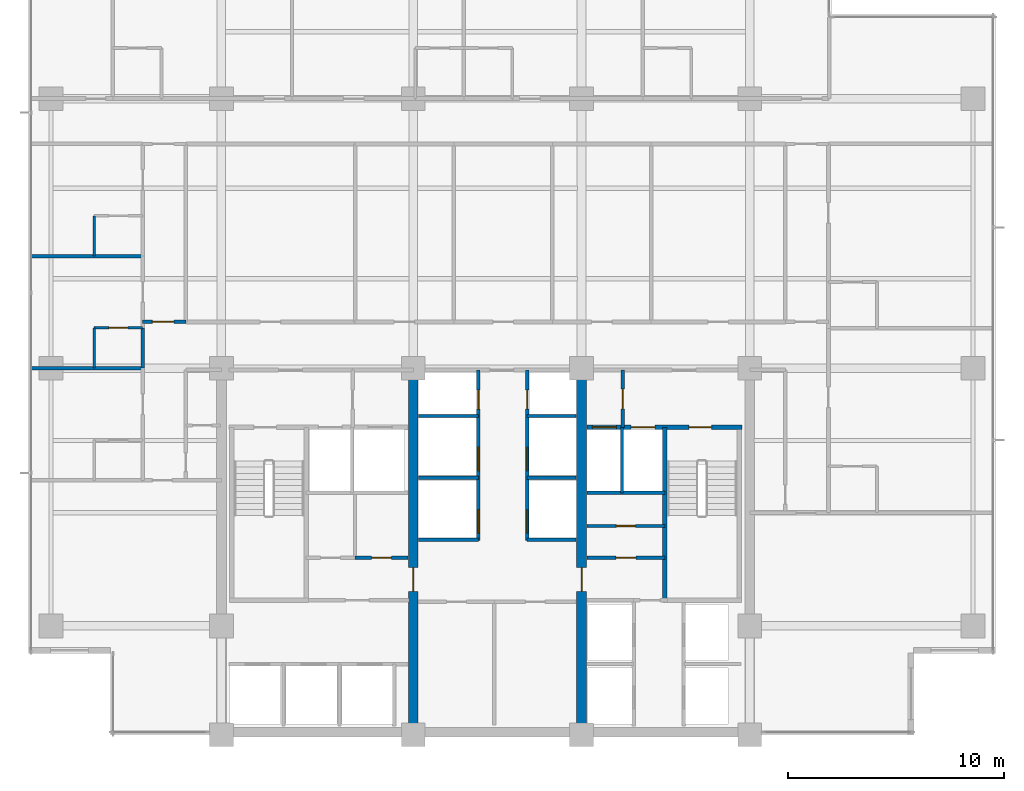
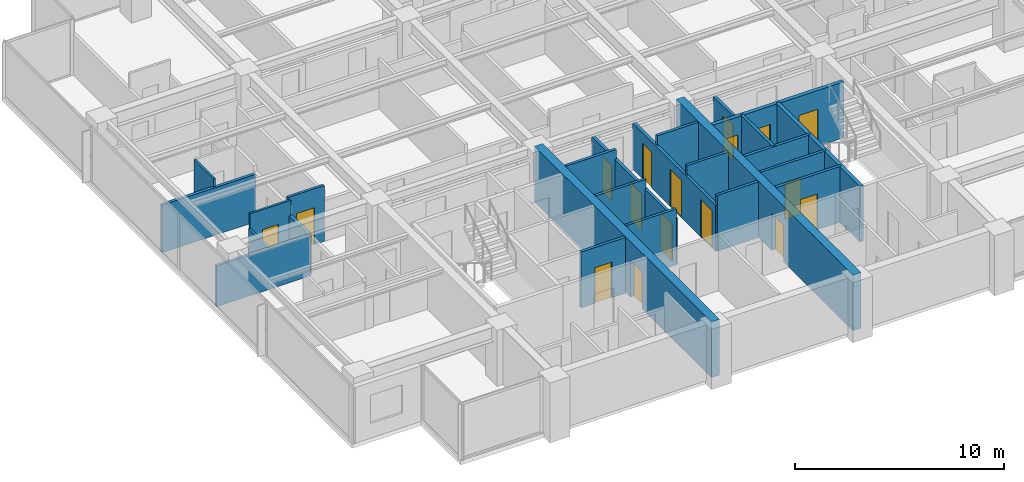
# One storey, part 8 of 16: 25 walls, 17 doors, 17 openings.
"""IFC4 building model written with IfcOpenShell, lengths in metres."""

from ifc_helpers import new_model, si_unit, direction, frame, frame_2d, origin, place, context, subcontext, project, spatial, rectangle, extrude, material, layer, layer_set, type_object, element, fill, save


model = new_model("IFC4")

# Units and contexts
model_context = context("Model", 3, precision=1e-05, world=origin(), true_north=direction((0.0, 1.0)))
body_context = subcontext(model_context, "Body", "Model", "MODEL_VIEW")
ifc_project = project(units=[si_unit("LENGTHUNIT", "METRE"), si_unit("AREAUNIT", "SQUARE_METRE"), si_unit("VOLUMEUNIT", "CUBIC_METRE"), si_unit("PLANEANGLEUNIT", "RADIAN"), si_unit("MASSUNIT", "GRAM", prefix="KILO")], contexts=[model_context])

# Site, building, storey
site_placement = place(None, origin())
site = spatial("IfcSite", under=ifc_project, at=site_placement, CompositionType="ELEMENT")
building_placement = place(site_placement, origin())
building = spatial("IfcBuilding", under=site, at=building_placement, Name="Qalmaran Belvedere Hotel", CompositionType="ELEMENT")
storey_placement = place(building_placement, frame((0.0, 0.0, 145.60009765625)))
storey = spatial("IfcBuildingStorey", under=building, at=storey_placement, Name="L36", CompositionType="ELEMENT", Elevation=145.60009765625)

# Wall, opening, door
ifc_material_1 = material(Name="Concrete C50/60", Category="concrete")
ifc_layer_1 = layer(ifc_material_1, 0.449951171875, Name="Concrete C50/60")
ifc_layer_set_1 = layer_set([ifc_layer_1], Name="Concrete C50/60")
wall_type_1 = type_object("IfcWallType", Name="WL-CORE-450-C50", PredefinedType="SHEAR", material=ifc_layer_set_1)
wall_1_placement = place(storey_placement, frame((29.199951171875, 3.5, 0.0), z_axis=(0.0, 0.0, 1.0), x_axis=(0.0, 1.0, 0.0)))
wall_1 = element("IfcWall", 1, at=wall_1_placement, inside=storey, type_object=wall_type_1, Name="L36 Core West Spine Shear Wall", PredefinedType="SHEAR", context=body_context, shape_type="SweptSolid", body=[
    extrude(rectangle(XDim=16.89990234375, YDim=0.449951171875, at=frame_2d((8.449951171875, 0.0))), origin(), (0.0, 0.0, 1.0), 3.25),
])
opening_1_placement = place(wall_1_placement, frame((7.75, 0.0, 0.0), z_axis=(0.0, 0.0, 1.0), x_axis=(-1.0, 0.0, 0.0)))
opening_1 = element("IfcOpeningElement", 2, at=opening_1_placement, cuts=wall_1, Name="Opening FD90", PredefinedType="OPENING", context=body_context, shape_type="SweptSolid", body=[
    extrude(rectangle(XDim=1.10009765625, YDim=2.14990234375, at=frame_2d((0.550048828125, 1.074951171875))), frame((0.0, 0.23486328125, 0.0), z_axis=(0.0, -1.0, 0.0), x_axis=(1.0, 0.0, 0.0)), (0.0, 0.0, 1.0), 0.469970703125),
])
ifc_material_2 = material(Name="Steel S355JR", Category="steel")
door_type_1 = type_object("IfcDoorType", Name="DR-FD90-1100X2150", OperationType="NOTDEFINED", PredefinedType="DOOR", material=ifc_material_2)
door_1_placement = place(opening_1_placement, origin())
door_1 = element("IfcDoor", 3, at=door_1_placement, inside=storey, type_object=door_type_1, Name="L36 Core West Cross-Lobby Door", OperationType="SINGLE_SWING_LEFT", OverallHeight=2.14990234375, OverallWidth=1.10009765625, PredefinedType="DOOR", context=body_context, shape_type="SweptSolid", body=[
    extrude(rectangle(XDim=1.10009765625, YDim=2.14990234375, at=frame_2d((0.550048828125, 1.074951171875))), frame((0.0, 0.02490234375, 0.0), z_axis=(0.0, -1.0, 0.0), x_axis=(1.0, 0.0, 0.0)), (0.0, 0.0, 1.0), 0.050048828125),
])
fill(opening_1, door_1)

wall_2_placement = place(storey_placement, frame((37.0, 3.5, 0.0), z_axis=(0.0, 0.0, 1.0), x_axis=(0.0, 1.0, 0.0)))
wall_2 = element("IfcWall", 4, at=wall_2_placement, inside=storey, type_object=wall_type_1, Name="L36 Core East Spine Shear Wall", PredefinedType="SHEAR", context=body_context, shape_type="SweptSolid", body=[
    extrude(rectangle(XDim=16.89990234375, YDim=0.449951171875, at=frame_2d((8.449951171875, 0.0))), origin(), (0.0, 0.0, 1.0), 3.25),
])
opening_2_placement = place(wall_2_placement, frame((6.64990234375, 0.0, 0.0)))
opening_2 = element("IfcOpeningElement", 5, at=opening_2_placement, cuts=wall_2, Name="Opening FD90", PredefinedType="OPENING", context=body_context, shape_type="SweptSolid", body=[
    extrude(rectangle(XDim=1.10009765625, YDim=2.14990234375, at=frame_2d((0.550048828125, 1.074951171875))), frame((0.0, 0.23486328125, 0.0), z_axis=(0.0, -1.0, 0.0), x_axis=(1.0, 0.0, 0.0)), (0.0, 0.0, 1.0), 0.469970703125),
])
door_2_placement = place(opening_2_placement, origin())
door_2 = element("IfcDoor", 6, at=door_2_placement, inside=storey, type_object=door_type_1, Name="L36 Core East Cross-Lobby Door", OperationType="SINGLE_SWING_RIGHT", OverallHeight=2.14990234375, OverallWidth=1.10009765625, PredefinedType="DOOR", context=body_context, shape_type="SweptSolid", body=[
    extrude(rectangle(XDim=1.10009765625, YDim=2.14990234375, at=frame_2d((0.550048828125, 1.074951171875))), frame((0.0, 0.02490234375, 0.0), z_axis=(0.0, -1.0, 0.0), x_axis=(1.0, 0.0, 0.0)), (0.0, 0.0, 1.0), 0.050048828125),
])
fill(opening_2, door_2)

ifc_material_3 = material(Name="Moisture-Resistant Gypsum")
ifc_layer_2 = layer(ifc_material_3, 0.1201171875, Name="Moisture-Resistant Gypsum")
ifc_layer_set_2 = layer_set([ifc_layer_2], Name="Moisture-Resistant Gypsum")
wall_type_2 = type_object("IfcWallType", Name="WL-INT-120-BATH", PredefinedType="PARTITIONING", material=ifc_layer_set_2)
wall_3_placement = place(storey_placement, frame((14.39990234375, 22.3701171875, 0.0), z_axis=(0.0, 0.0, 1.0), x_axis=(1.0, 0.0, 0.0)))
wall_3 = element("IfcWall", 7, at=wall_3_placement, inside=storey, type_object=wall_type_2, Name="L36 Partition WL-L36-WBN01", PredefinedType="PARTITIONING", context=body_context, shape_type="SweptSolid", body=[
    extrude(rectangle(XDim=2.25, YDim=0.1201171875, at=frame_2d((1.125, 0.0))), origin(), (0.0, 0.0, 1.0), 3.25),
])
opening_3_placement = place(wall_3_placement, frame((1.56494140625, 0.0, 0.0), z_axis=(0.0, 0.0, 1.0), x_axis=(-1.0, 0.0, 0.0)))
opening_3 = element("IfcOpeningElement", 8, at=opening_3_placement, cuts=wall_3, Name="Opening D-BATH", PredefinedType="OPENING", context=body_context, shape_type="SweptSolid", body=[
    extrude(rectangle(XDim=0.8798828125, YDim=2.080078125, at=frame_2d((0.43994140625, 1.0400390625))), frame((0.0, 0.070068359375, 0.0), z_axis=(0.0, -1.0, 0.0), x_axis=(1.0, 0.0, 0.0)), (0.0, 0.0, 1.0), 0.14013671875),
])
ifc_material_4 = material(Name="Engineered Oak Veneer")
door_type_2 = type_object("IfcDoorType", Name="DR-INT-BATH-880X2080", OperationType="NOTDEFINED", PredefinedType="DOOR", material=ifc_material_4)
door_3_placement = place(opening_3_placement, origin())
door_3 = element("IfcDoor", 9, at=door_3_placement, inside=storey, type_object=door_type_2, Name="L36 W Ensuite Door 02", OperationType="SINGLE_SWING_LEFT", OverallHeight=2.080078125, OverallWidth=0.8798828125, PredefinedType="DOOR", context=body_context, shape_type="SweptSolid", body=[
    extrude(rectangle(XDim=0.8798828125, YDim=2.080078125, at=frame_2d((0.43994140625, 1.0400390625))), frame((0.0, 0.02490234375, 0.0), z_axis=(0.0, -1.0, 0.0), x_axis=(1.0, 0.0, 0.0)), (0.0, 0.0, 1.0), 0.050048828125),
])
fill(opening_3, door_3)

# Walls
wall_4_placement = place(storey_placement, frame((14.39990234375, 20.5, 0.0), z_axis=(0.0, 0.0, 1.0), x_axis=(0.0, 1.0, 0.0)))
element("IfcWall", 10, at=wall_4_placement, inside=storey, type_object=wall_type_2, Name="L36 Partition WL-L36-WBS01", PredefinedType="PARTITIONING", context=body_context, shape_type="SweptSolid", body=[
    extrude(rectangle(XDim=1.8701171875, YDim=0.1201171875, at=frame_2d((0.93505859375, 0.0))), origin(), (0.0, 0.0, 1.0), 2.3798828125),
])
wall_5_placement = place(storey_placement, frame((14.39990234375, 25.699951171875, 0.0), z_axis=(0.0, 0.0, 1.0), x_axis=(0.0, 1.0, 0.0)))
element("IfcWall", 11, at=wall_5_placement, inside=storey, type_object=wall_type_2, Name="L36 Partition WL-L36-WBS02", PredefinedType="PARTITIONING", context=body_context, shape_type="SweptSolid", body=[
    extrude(rectangle(XDim=1.8701171875, YDim=0.1201171875, at=frame_2d((0.93505859375, 0.0))), origin(), (0.0, 0.0, 1.0), 3.25),
])
ifc_material_5 = material(Name="Gypsum Stud Partition")
ifc_layer_3 = layer(ifc_material_5, 0.14990234375, Name="Gypsum Stud Partition")
ifc_layer_set_3 = layer_set([ifc_layer_3], Name="Gypsum Stud Partition")
wall_type_3 = type_object("IfcWallType", Name="WL-INT-150-EI120", PredefinedType="PARTITIONING", material=ifc_layer_set_3)
wall_6_placement = place(storey_placement, frame((38.8798828125, 14.719970703125, 0.0), z_axis=(0.0, 0.0, 1.0), x_axis=(0.0, 1.0, 0.0)))
element("IfcWall", 12, at=wall_6_placement, inside=storey, type_object=wall_type_3, Name="L36 Partition WL-FF2M-L36", PredefinedType="PARTITIONING", context=body_context, shape_type="SweptSolid", body=[
    extrude(rectangle(XDim=3.0400390625, YDim=0.14990234375, at=frame_2d((1.52001953125, 0.0))), origin(), (0.0, 0.0, 1.0), 3.25),
])
wall_7_placement = place(storey_placement, frame((29.449951171875, 12.550048828125, 0.0), z_axis=(0.0, 0.0, 1.0), x_axis=(1.0, 0.0, 0.0)))
element("IfcWall", 13, at=wall_7_placement, inside=storey, type_object=wall_type_3, Name="L36 Partition WL-PMW-L36-125", PredefinedType="PARTITIONING", context=body_context, shape_type="SweptSolid", body=[
    extrude(rectangle(XDim=2.77001953125, YDim=0.14990234375, at=frame_2d((1.385009765625, 0.0))), origin(), (0.0, 0.0, 1.0), 3.25),
])
wall_8_placement = place(storey_placement, frame((34.47998046875, 12.550048828125, 0.0), z_axis=(0.0, 0.0, 1.0), x_axis=(1.0, 0.0, 0.0)))
element("IfcWall", 14, at=wall_8_placement, inside=storey, type_object=wall_type_3, Name="L36 Partition WL-PME-L36-125", PredefinedType="PARTITIONING", context=body_context, shape_type="SweptSolid", body=[
    extrude(rectangle(XDim=2.27001953125, YDim=0.14990234375, at=frame_2d((1.135009765625, 0.0))), origin(), (0.0, 0.0, 1.0), 3.25),
])
wall_9_placement = place(storey_placement, frame((29.449951171875, 15.419921875, 0.0), z_axis=(0.0, 0.0, 1.0), x_axis=(1.0, 0.0, 0.0)))
element("IfcWall", 15, at=wall_9_placement, inside=storey, type_object=wall_type_3, Name="L36 Partition WL-PMW-L36-154", PredefinedType="PARTITIONING", context=body_context, shape_type="SweptSolid", body=[
    extrude(rectangle(XDim=2.77001953125, YDim=0.14990234375, at=frame_2d((1.385009765625, 0.0))), origin(), (0.0, 0.0, 1.0), 3.25),
])
wall_10_placement = place(storey_placement, frame((34.47998046875, 15.419921875, 0.0), z_axis=(0.0, 0.0, 1.0), x_axis=(1.0, 0.0, 0.0)))
element("IfcWall", 16, at=wall_10_placement, inside=storey, type_object=wall_type_3, Name="L36 Partition WL-PME-L36-154", PredefinedType="PARTITIONING", context=body_context, shape_type="SweptSolid", body=[
    extrude(rectangle(XDim=2.27001953125, YDim=0.14990234375, at=frame_2d((1.135009765625, 0.0))), origin(), (0.0, 0.0, 1.0), 3.25),
])
wall_11_placement = place(storey_placement, frame((29.449951171875, 18.280029296875, 0.0), z_axis=(0.0, 0.0, 1.0), x_axis=(1.0, 0.0, 0.0)))
element("IfcWall", 17, at=wall_11_placement, inside=storey, type_object=wall_type_3, Name="L36 Partition WL-PMW-L36-182", PredefinedType="PARTITIONING", context=body_context, shape_type="SweptSolid", body=[
    extrude(rectangle(XDim=2.77001953125, YDim=0.14990234375, at=frame_2d((1.385009765625, 0.0))), origin(), (0.0, 0.0, 1.0), 3.25),
])
wall_12_placement = place(storey_placement, frame((34.47998046875, 18.280029296875, 0.0), z_axis=(0.0, 0.0, 1.0), x_axis=(1.0, 0.0, 0.0)))
element("IfcWall", 18, at=wall_12_placement, inside=storey, type_object=wall_type_3, Name="L36 Partition WL-PME-L36-182", PredefinedType="PARTITIONING", context=body_context, shape_type="SweptSolid", body=[
    extrude(rectangle(XDim=2.27001953125, YDim=0.14990234375, at=frame_2d((1.135009765625, 0.0))), origin(), (0.0, 0.0, 1.0), 3.25),
])

# Wall, opening, door
ifc_layer_4 = layer(ifc_material_5, 0.14990234375, Name="Gypsum Stud Partition")
ifc_layer_set_4 = layer_set([ifc_layer_4], Name="Gypsum Stud Partition")
wall_type_4 = type_object("IfcWallType", Name="WL-INT-150-EI60", PredefinedType="PARTITIONING", material=ifc_layer_set_4)
wall_13_placement = place(storey_placement, frame((37.25, 13.18505859375, 0.0), z_axis=(0.0, 0.0, 1.0), x_axis=(1.0, 0.0, 0.0)))
wall_13 = element("IfcWall", 19, at=wall_13_placement, inside=storey, type_object=wall_type_4, Name="L36 Partition WL-L36-KEHM", PredefinedType="PARTITIONING", context=body_context, shape_type="SweptSolid", body=[
    extrude(rectangle(XDim=3.610107421875, YDim=0.14990234375, at=frame_2d((1.80517578125, 0.0))), origin(), (0.0, 0.0, 1.0), 3.25),
])
opening_4_placement = place(wall_13_placement, frame((1.364990234375, 0.0, 0.0)))
opening_4 = element("IfcOpeningElement", 20, at=opening_4_placement, cuts=wall_13, Name="Opening FD60B", PredefinedType="OPENING", context=body_context, shape_type="SweptSolid", body=[
    extrude(rectangle(XDim=0.8798828125, YDim=2.080078125, at=frame_2d((0.43994140625, 1.0400390625))), frame((0.0, 0.0849609375, 0.0), z_axis=(0.0, -1.0, 0.0), x_axis=(1.0, 0.0, 0.0)), (0.0, 0.0, 1.0), 0.169921875),
])
door_type_3 = type_object("IfcDoorType", Name="DR-FD60B-880X2080", OperationType="NOTDEFINED", PredefinedType="DOOR", material=ifc_material_2)
door_4_placement = place(opening_4_placement, origin())
door_4 = element("IfcDoor", 21, at=door_4_placement, inside=storey, type_object=door_type_3, Name="L36 Hotel Linen Closet Door", OperationType="SINGLE_SWING_LEFT", OverallHeight=2.080078125, OverallWidth=0.8798828125, PredefinedType="DOOR", context=body_context, shape_type="SweptSolid", body=[
    extrude(rectangle(XDim=0.8798828125, YDim=2.080078125, at=frame_2d((0.43994140625, 1.0400390625))), frame((0.0, 0.02490234375, 0.0), z_axis=(0.0, -1.0, 0.0), x_axis=(1.0, 0.0, 0.0)), (0.0, 0.0, 1.0), 0.050048828125),
])
fill(opening_4, door_4)

wall_14_placement = place(storey_placement, frame((16.64990234375, 22.64990234375, 0.0), z_axis=(0.0, 0.0, 1.0), x_axis=(1.0, 0.0, 0.0)))
wall_14 = element("IfcWall", 22, at=wall_14_placement, inside=storey, type_object=wall_type_4, Name="L36 Partition WL-L36-XCW1", PredefinedType="PARTITIONING", context=body_context, shape_type="SweptSolid", body=[
    extrude(rectangle(XDim=2.0, YDim=0.14990234375, at=frame_2d((1.0, 0.0))), origin(), (0.0, 0.0, 1.0), 3.25),
])
opening_5_placement = place(wall_14_placement, frame((0.449951171875, 0.0, 0.0)))
opening_5 = element("IfcOpeningElement", 23, at=opening_5_placement, cuts=wall_14, Name="Opening FD90B", PredefinedType="OPENING", context=body_context, shape_type="SweptSolid", body=[
    extrude(rectangle(XDim=1.0, YDim=2.14990234375, at=frame_2d((0.5, 1.074951171875))), frame((0.0, 0.0849609375, 0.0), z_axis=(0.0, -1.0, 0.0), x_axis=(1.0, 0.0, 0.0)), (0.0, 0.0, 1.0), 0.169921875),
])
door_type_4 = type_object("IfcDoorType", Name="DR-FD90B-1000X2150", OperationType="NOTDEFINED", PredefinedType="DOOR", material=ifc_material_2)
door_5_placement = place(opening_5_placement, origin())
door_5 = element("IfcDoor", 24, at=door_5_placement, inside=storey, type_object=door_type_4, Name="L36 West Corridor Smoke Door S", OperationType="SINGLE_SWING_RIGHT", OverallHeight=2.14990234375, OverallWidth=1.0, PredefinedType="DOOR", context=body_context, shape_type="SweptSolid", body=[
    extrude(rectangle(XDim=1.0, YDim=2.14990234375, at=frame_2d((0.5, 1.074951171875))), frame((0.0, 0.02490234375, 0.0), z_axis=(0.0, -1.0, 0.0), x_axis=(1.0, 0.0, 0.0)), (0.0, 0.0, 1.0), 0.050048828125),
])
fill(opening_5, door_5)

ifc_layer_5 = layer(ifc_material_5, 0.159912109375, Name="Gypsum Stud Partition")
ifc_layer_set_5 = layer_set([ifc_layer_5], Name="Gypsum Stud Partition")
wall_type_5 = type_object("IfcWallType", Name="WL-INT-160-EI120", PredefinedType="PARTITIONING", material=ifc_layer_set_5)
wall_15_placement = place(storey_placement, frame((38.919921875, 17.760009765625, 0.0), z_axis=(0.0, 0.0, 1.0), x_axis=(0.0, 1.0, 0.0)))
wall_15 = element("IfcWall", 25, at=wall_15_placement, inside=storey, type_object=wall_type_5, Name="L36 Partition WL-FFSV2-L36", PredefinedType="PARTITIONING", context=body_context, shape_type="SweptSolid", body=[
    extrude(rectangle(XDim=2.659912109375, YDim=0.159912109375, at=frame_2d((1.330078125, 0.0))), origin(), (0.0, 0.0, 1.0), 2.69189453125),
])
opening_6_placement = place(wall_15_placement, frame((1.77001953125, 0.0, 0.0), z_axis=(0.0, 0.0, 1.0), x_axis=(-1.0, 0.0, 0.0)))
opening_6 = element("IfcOpeningElement", 26, at=opening_6_placement, cuts=wall_15, Name="Opening FD60S1", PredefinedType="OPENING", context=body_context, shape_type="SweptSolid", body=[
    extrude(rectangle(XDim=0.919921875, YDim=2.080078125, at=frame_2d((0.4599609375, 1.0400390625))), frame((0.0, 0.08984375, 0.0), z_axis=(0.0, -1.0, 0.0), x_axis=(1.0, 0.0, 0.0)), (0.0, 0.0, 1.0), 0.179931640625),
])
door_type_5 = type_object("IfcDoorType", Name="DR-FD60S-920X2080", OperationType="NOTDEFINED", PredefinedType="DOOR", material=ifc_material_4)
door_6_placement = place(opening_6_placement, origin())
door_6 = element("IfcDoor", 27, at=door_6_placement, inside=storey, type_object=door_type_5, Name="L36 Service Lobby East Door", OperationType="SINGLE_SWING_RIGHT", OverallHeight=2.080078125, OverallWidth=0.919921875, PredefinedType="DOOR", context=body_context, shape_type="SweptSolid", body=[
    extrude(rectangle(XDim=0.919921875, YDim=2.080078125, at=frame_2d((0.4599609375, 1.0400390625))), frame((0.0, 0.02490234375, 0.0), z_axis=(0.0, -1.0, 0.0), x_axis=(1.0, 0.0, 0.0)), (0.0, 0.0, 1.0), 0.050048828125),
])
fill(opening_6, door_6)

# Wall
wall_16_placement = place(storey_placement, frame((37.25, 14.719970703125, 0.0), z_axis=(0.0, 0.0, 1.0), x_axis=(1.0, 0.0, 0.0)))
element("IfcWall", 28, at=wall_16_placement, inside=storey, type_object=wall_type_5, Name="L36 Partition WL-FF2S-L36", PredefinedType="PARTITIONING", context=body_context, shape_type="SweptSolid", body=[
    extrude(rectangle(XDim=3.610107421875, YDim=0.159912109375, at=frame_2d((1.80517578125, 0.0))), origin(), (0.0, 0.0, 1.0), 3.25),
])

# Wall, openings, doors
wall_17_placement = place(storey_placement, frame((32.219970703125, 12.5, 0.0), z_axis=(0.0, 0.0, 1.0), x_axis=(0.0, 1.0, 0.0)))
wall_17 = element("IfcWall", 29, at=wall_17_placement, inside=storey, type_object=wall_type_5, Name="L36 Partition WL-CLBWN-L36", PredefinedType="PARTITIONING", context=body_context, shape_type="SweptSolid", body=[
    extrude(rectangle(XDim=7.919921875, YDim=0.159912109375, at=frame_2d((3.9599609375, 0.0))), origin(), (0.0, 0.0, 1.0), 2.69189453125),
])
opening_7_placement = place(wall_17_placement, frame((1.43017578125, 0.0, 0.0), z_axis=(0.0, 0.0, 1.0), x_axis=(-1.0, 0.0, 0.0)))
opening_7 = element("IfcOpeningElement", 30, at=opening_7_placement, cuts=wall_17, Name="Opening LD-P1", PredefinedType="OPENING", context=body_context, shape_type="SweptSolid", body=[
    extrude(rectangle(XDim=1.080078125, YDim=2.159912109375, at=frame_2d((0.5400390625, 1.080078125))), frame((0.0, 0.08984375, 0.0), z_axis=(0.0, -1.0, 0.0), x_axis=(1.0, 0.0, 0.0)), (0.0, 0.0, 1.0), 0.179931640625),
])
opening_8_placement = place(wall_17_placement, frame((4.330078125, 0.0, 0.0), z_axis=(0.0, 0.0, 1.0), x_axis=(-1.0, 0.0, 0.0)))
opening_8 = element("IfcOpeningElement", 31, at=opening_8_placement, cuts=wall_17, Name="Opening LD-P1", PredefinedType="OPENING", context=body_context, shape_type="SweptSolid", body=[
    extrude(rectangle(XDim=1.080078125, YDim=2.159912109375, at=frame_2d((0.5400390625, 1.080078125))), frame((0.0, 0.08984375, 0.0), z_axis=(0.0, -1.0, 0.0), x_axis=(1.0, 0.0, 0.0)), (0.0, 0.0, 1.0), 0.179931640625),
])
opening_9_placement = place(wall_17_placement, frame((6.10009765625, 0.0, 0.0)))
opening_9 = element("IfcOpeningElement", 32, at=opening_9_placement, cuts=wall_17, Name="Opening FD60B", PredefinedType="OPENING", context=body_context, shape_type="SweptSolid", body=[
    extrude(rectangle(XDim=0.8798828125, YDim=2.080078125, at=frame_2d((0.43994140625, 1.0400390625))), frame((0.0, 0.08984375, 0.0), z_axis=(0.0, -1.0, 0.0), x_axis=(1.0, 0.0, 0.0)), (0.0, 0.0, 1.0), 0.179931640625),
])
door_7_placement = place(opening_9_placement, origin())
door_7 = element("IfcDoor", 33, at=door_7_placement, inside=storey, type_object=door_type_3, Name="L36 West Riser Access Door", OperationType="SINGLE_SWING_RIGHT", OverallHeight=2.080078125, OverallWidth=0.8798828125, PredefinedType="DOOR", context=body_context, shape_type="SweptSolid", body=[
    extrude(rectangle(XDim=0.8798828125, YDim=2.080078125, at=frame_2d((0.43994140625, 1.0400390625))), frame((0.0, 0.02490234375, 0.0), z_axis=(0.0, -1.0, 0.0), x_axis=(1.0, 0.0, 0.0)), (0.0, 0.0, 1.0), 0.050048828125),
])
fill(opening_9, door_7)
ifc_material_6 = material(Name="Stainless Steel 1.4401", Category="steel")
door_type_6 = type_object("IfcDoorType", Name="DR-LIFT-P1-1080X2160", OperationType="DOUBLE_DOOR_SLIDING", PredefinedType="DOOR", material=ifc_material_6)
door_8_placement = place(opening_7_placement, origin())
door_8 = element("IfcDoor", 34, at=door_8_placement, inside=storey, type_object=door_type_6, Name="L36 PM1 Lift Landing Door", OperationType="DOUBLE_DOOR_SLIDING", OverallHeight=2.159912109375, OverallWidth=1.080078125, PredefinedType="DOOR", context=body_context, shape_type="SweptSolid", body=[
    extrude(rectangle(XDim=1.080078125, YDim=2.159912109375, at=frame_2d((0.5400390625, 1.080078125))), frame((0.0, 0.02490234375, 0.0), z_axis=(0.0, -1.0, 0.0), x_axis=(1.0, 0.0, 0.0)), (0.0, 0.0, 1.0), 0.050048828125),
])
fill(opening_7, door_8)
door_9_placement = place(opening_8_placement, origin())
door_9 = element("IfcDoor", 35, at=door_9_placement, inside=storey, type_object=door_type_6, Name="L36 PM2 Lift Landing Door", OperationType="DOUBLE_DOOR_SLIDING", OverallHeight=2.159912109375, OverallWidth=1.080078125, PredefinedType="DOOR", context=body_context, shape_type="SweptSolid", body=[
    extrude(rectangle(XDim=1.080078125, YDim=2.159912109375, at=frame_2d((0.5400390625, 1.080078125))), frame((0.0, 0.02490234375, 0.0), z_axis=(0.0, -1.0, 0.0), x_axis=(1.0, 0.0, 0.0)), (0.0, 0.0, 1.0), 0.050048828125),
])
fill(opening_8, door_9)

wall_18_placement = place(storey_placement, frame((34.47998046875, 12.5, 0.0), z_axis=(0.0, 0.0, 1.0), x_axis=(0.0, 1.0, 0.0)))
wall_18 = element("IfcWall", 36, at=wall_18_placement, inside=storey, type_object=wall_type_5, Name="L36 Partition WL-CLBEN-L36", PredefinedType="PARTITIONING", context=body_context, shape_type="SweptSolid", body=[
    extrude(rectangle(XDim=7.919921875, YDim=0.159912109375, at=frame_2d((3.9599609375, 0.0))), origin(), (0.0, 0.0, 1.0), 2.69189453125),
])
opening_10_placement = place(wall_18_placement, frame((0.35009765625, 0.0, 0.0)))
opening_10 = element("IfcOpeningElement", 37, at=opening_10_placement, cuts=wall_18, Name="Opening LD-P1", PredefinedType="OPENING", context=body_context, shape_type="SweptSolid", body=[
    extrude(rectangle(XDim=1.080078125, YDim=2.159912109375, at=frame_2d((0.5400390625, 1.080078125))), frame((0.0, 0.08984375, 0.0), z_axis=(0.0, -1.0, 0.0), x_axis=(1.0, 0.0, 0.0)), (0.0, 0.0, 1.0), 0.179931640625),
])
opening_11_placement = place(wall_18_placement, frame((3.25, 0.0, 0.0)))
opening_11 = element("IfcOpeningElement", 38, at=opening_11_placement, cuts=wall_18, Name="Opening LD-P1", PredefinedType="OPENING", context=body_context, shape_type="SweptSolid", body=[
    extrude(rectangle(XDim=1.080078125, YDim=2.159912109375, at=frame_2d((0.5400390625, 1.080078125))), frame((0.0, 0.08984375, 0.0), z_axis=(0.0, -1.0, 0.0), x_axis=(1.0, 0.0, 0.0)), (0.0, 0.0, 1.0), 0.179931640625),
])
opening_12_placement = place(wall_18_placement, frame((6.97998046875, 0.0, 0.0), z_axis=(0.0, 0.0, 1.0), x_axis=(-1.0, 0.0, 0.0)))
opening_12 = element("IfcOpeningElement", 39, at=opening_12_placement, cuts=wall_18, Name="Opening FD60B", PredefinedType="OPENING", context=body_context, shape_type="SweptSolid", body=[
    extrude(rectangle(XDim=0.8798828125, YDim=2.080078125, at=frame_2d((0.43994140625, 1.0400390625))), frame((0.0, 0.08984375, 0.0), z_axis=(0.0, -1.0, 0.0), x_axis=(1.0, 0.0, 0.0)), (0.0, 0.0, 1.0), 0.179931640625),
])
door_10_placement = place(opening_12_placement, origin())
door_10 = element("IfcDoor", 40, at=door_10_placement, inside=storey, type_object=door_type_3, Name="L36 East Riser Access Door", OperationType="SINGLE_SWING_LEFT", OverallHeight=2.080078125, OverallWidth=0.8798828125, PredefinedType="DOOR", context=body_context, shape_type="SweptSolid", body=[
    extrude(rectangle(XDim=0.8798828125, YDim=2.080078125, at=frame_2d((0.43994140625, 1.0400390625))), frame((0.0, 0.02490234375, 0.0), z_axis=(0.0, -1.0, 0.0), x_axis=(1.0, 0.0, 0.0)), (0.0, 0.0, 1.0), 0.050048828125),
])
fill(opening_12, door_10)
door_11_placement = place(opening_10_placement, origin())
door_11 = element("IfcDoor", 41, at=door_11_placement, inside=storey, type_object=door_type_6, Name="L36 PM3 Lift Landing Door", OperationType="DOUBLE_DOOR_SLIDING", OverallHeight=2.159912109375, OverallWidth=1.080078125, PredefinedType="DOOR", context=body_context, shape_type="SweptSolid", body=[
    extrude(rectangle(XDim=1.080078125, YDim=2.159912109375, at=frame_2d((0.5400390625, 1.080078125))), frame((0.0, 0.02490234375, 0.0), z_axis=(0.0, -1.0, 0.0), x_axis=(1.0, 0.0, 0.0)), (0.0, 0.0, 1.0), 0.050048828125),
])
fill(opening_10, door_11)
door_12_placement = place(opening_11_placement, origin())
door_12 = element("IfcDoor", 42, at=door_12_placement, inside=storey, type_object=door_type_6, Name="L36 PM4 Lift Landing Door", OperationType="DOUBLE_DOOR_SLIDING", OverallHeight=2.159912109375, OverallWidth=1.080078125, PredefinedType="DOOR", context=body_context, shape_type="SweptSolid", body=[
    extrude(rectangle(XDim=1.080078125, YDim=2.159912109375, at=frame_2d((0.5400390625, 1.080078125))), frame((0.0, 0.02490234375, 0.0), z_axis=(0.0, -1.0, 0.0), x_axis=(1.0, 0.0, 0.0)), (0.0, 0.0, 1.0), 0.050048828125),
])
fill(opening_11, door_12)

# Wall, opening, door
ifc_layer_6 = layer(ifc_material_5, 0.159912109375, Name="Gypsum Stud Partition")
ifc_layer_set_6 = layer_set([ifc_layer_6], Name="Gypsum Stud Partition")
wall_type_6 = type_object("IfcWallType", Name="WL-INT-160-EI60", PredefinedType="PARTITIONING", material=ifc_layer_set_6)
wall_19_placement = place(storey_placement, frame((26.490478515625, 11.719970703125, 0.0), z_axis=(0.0, 0.0, 1.0), x_axis=(1.0, 0.0, 0.0)))
wall_19 = element("IfcWall", 43, at=wall_19_placement, inside=storey, type_object=wall_type_6, Name="L36 Partition WL-L36-KWE2", PredefinedType="PARTITIONING", context=body_context, shape_type="SweptSolid", body=[
    extrude(rectangle(XDim=2.45947265625, YDim=0.159912109375, at=frame_2d((1.229736328125, 0.0))), origin(), (0.0, 0.0, 1.0), 3.25),
])
opening_13_placement = place(wall_19_placement, frame((0.769775390625, 0.0, 0.0)))
opening_13 = element("IfcOpeningElement", 44, at=opening_13_placement, cuts=wall_19, Name="Opening FD60S1", PredefinedType="OPENING", context=body_context, shape_type="SweptSolid", body=[
    extrude(rectangle(XDim=0.919921875, YDim=2.080078125, at=frame_2d((0.4599609375, 1.0400390625))), frame((0.0, 0.08984375, 0.0), z_axis=(0.0, -1.0, 0.0), x_axis=(1.0, 0.0, 0.0)), (0.0, 0.0, 1.0), 0.179931640625),
])
door_13_placement = place(opening_13_placement, origin())
door_13 = element("IfcDoor", 45, at=door_13_placement, inside=storey, type_object=door_type_5, Name="L36 Cleaner Supply Store Door", OperationType="SINGLE_SWING_LEFT", OverallHeight=2.080078125, OverallWidth=0.919921875, PredefinedType="DOOR", context=body_context, shape_type="SweptSolid", body=[
    extrude(rectangle(XDim=0.919921875, YDim=2.080078125, at=frame_2d((0.4599609375, 1.0400390625))), frame((0.0, 0.02490234375, 0.0), z_axis=(0.0, -1.0, 0.0), x_axis=(1.0, 0.0, 0.0)), (0.0, 0.0, 1.0), 0.050048828125),
])
fill(opening_13, door_13)

wall_20_placement = place(storey_placement, frame((37.25, 11.719970703125, 0.0), z_axis=(0.0, 0.0, 1.0), x_axis=(1.0, 0.0, 0.0)))
wall_20 = element("IfcWall", 46, at=wall_20_placement, inside=storey, type_object=wall_type_6, Name="L36 Partition WL-L36-KEE1", PredefinedType="PARTITIONING", context=body_context, shape_type="SweptSolid", body=[
    extrude(rectangle(XDim=3.610107421875, YDim=0.159912109375, at=frame_2d((1.80517578125, 0.0))), origin(), (0.0, 0.0, 1.0), 3.25),
])
opening_14_placement = place(wall_20_placement, frame((1.344970703125, 0.0, 0.0)))
opening_14 = element("IfcOpeningElement", 47, at=opening_14_placement, cuts=wall_20, Name="Opening FD60S1", PredefinedType="OPENING", context=body_context, shape_type="SweptSolid", body=[
    extrude(rectangle(XDim=0.919921875, YDim=2.080078125, at=frame_2d((0.4599609375, 1.0400390625))), frame((0.0, 0.08984375, 0.0), z_axis=(0.0, -1.0, 0.0), x_axis=(1.0, 0.0, 0.0)), (0.0, 0.0, 1.0), 0.179931640625),
])
door_14_placement = place(opening_14_placement, origin())
door_14 = element("IfcDoor", 48, at=door_14_placement, inside=storey, type_object=door_type_5, Name="L36 Low Voltage Switch Room Door", OperationType="SINGLE_SWING_RIGHT", OverallHeight=2.080078125, OverallWidth=0.919921875, PredefinedType="DOOR", context=body_context, shape_type="SweptSolid", body=[
    extrude(rectangle(XDim=0.919921875, YDim=2.080078125, at=frame_2d((0.4599609375, 1.0400390625))), frame((0.0, 0.02490234375, 0.0), z_axis=(0.0, -1.0, 0.0), x_axis=(1.0, 0.0, 0.0)), (0.0, 0.0, 1.0), 0.050048828125),
])
fill(opening_14, door_14)

# Walls
wall_21_placement = place(storey_placement, frame((11.469970703125, 20.5, 0.0), z_axis=(0.0, 0.0, 1.0), x_axis=(1.0, 0.0, 0.0)))
element("IfcWall", 49, at=wall_21_placement, inside=storey, type_object=wall_type_6, Name="L36 Partition WL-L36-WU00", PredefinedType="PARTITIONING", context=body_context, shape_type="SweptSolid", body=[
    extrude(rectangle(XDim=5.179931640625, YDim=0.159912109375, at=frame_2d((2.58984375, 0.0))), origin(), (0.0, 0.0, 1.0), 2.3798828125),
])
wall_22_placement = place(storey_placement, frame((11.469970703125, 25.699951171875, 0.0), z_axis=(0.0, 0.0, 1.0), x_axis=(1.0, 0.0, 0.0)))
element("IfcWall", 50, at=wall_22_placement, inside=storey, type_object=wall_type_6, Name="L36 Partition WL-L36-WU01", PredefinedType="PARTITIONING", context=body_context, shape_type="SweptSolid", body=[
    extrude(rectangle(XDim=5.179931640625, YDim=0.159912109375, at=frame_2d((2.58984375, 0.0))), origin(), (0.0, 0.0, 1.0), 2.77197265625),
])
ifc_layer_7 = layer(ifc_material_5, 0.179931640625, Name="Gypsum Stud Partition")
ifc_layer_set_7 = layer_set([ifc_layer_7], Name="Gypsum Stud Partition")
wall_type_7 = type_object("IfcWallType", Name="WL-INT-180-EI60", PredefinedType="PARTITIONING", material=ifc_layer_set_7)
wall_23_placement = place(storey_placement, frame((16.64990234375, 20.5, 0.0), z_axis=(0.0, 0.0, 1.0), x_axis=(0.0, 1.0, 0.0)))
element("IfcWall", 51, at=wall_23_placement, inside=storey, type_object=wall_type_7, Name="L36 Partition WL-L36-WBC01", PredefinedType="PARTITIONING", context=body_context, shape_type="SweptSolid", body=[
    extrude(rectangle(XDim=1.8701171875, YDim=0.179931640625, at=frame_2d((0.93505859375, 0.0))), origin(), (0.0, 0.0, 1.0), 2.3798828125),
])
ifc_layer_8 = layer(ifc_material_1, 0.2099609375, Name="Concrete C50/60")
ifc_layer_set_8 = layer_set([ifc_layer_8], Name="Concrete C50/60")
wall_type_8 = type_object("IfcWallType", Name="WL-STAIR-210-C50", PredefinedType="SHEAR", material=ifc_layer_set_8)
wall_24_placement = place(storey_placement, frame((40.85498046875, 9.7451171875, 0.0), z_axis=(0.0, 0.0, 1.0), x_axis=(0.0, 1.0, 0.0)))
element("IfcWall", 52, at=wall_24_placement, inside=storey, type_object=wall_type_8, Name="L36 Stair ST-2 West Bearing Wall", PredefinedType="SHEAR", context=body_context, shape_type="SweptSolid", body=[
    extrude(rectangle(XDim=8.009765625, YDim=0.2099609375, at=frame_2d((4.0048828125, 0.0))), origin(), (0.0, 0.0, 1.0), 3.25),
])

# Wall, openings, doors
wall_25_placement = place(storey_placement, frame((37.25, 17.7548828125, 0.0), z_axis=(0.0, 0.0, 1.0), x_axis=(1.0, 0.0, 0.0)))
wall_25 = element("IfcWall", 53, at=wall_25_placement, inside=storey, type_object=wall_type_8, Name="L36 East Lobby and Stair ST-2 North Bearing Wall", PredefinedType="SHEAR", context=body_context, shape_type="SweptSolid", body=[
    extrude(rectangle(XDim=7.199951171875, YDim=0.2099609375, at=frame_2d((3.60009765625, 0.0))), origin(), (0.0, 0.0, 1.0), 3.25),
])
opening_15_placement = place(wall_25_placement, frame((0.25, 0.0, 0.0)))
opening_15 = element("IfcOpeningElement", 54, at=opening_15_placement, cuts=wall_25, Name="Opening LD-SV", PredefinedType="OPENING", context=body_context, shape_type="SweptSolid", body=[
    extrude(rectangle(XDim=1.1201171875, YDim=2.199951171875, at=frame_2d((0.56005859375, 1.10009765625))), frame((0.0, 0.114990234375, 0.0), z_axis=(0.0, -1.0, 0.0), x_axis=(1.0, 0.0, 0.0)), (0.0, 0.0, 1.0), 0.22998046875),
])
opening_16_placement = place(wall_25_placement, frame((2.050048828125, 0.0, 0.0)))
opening_16 = element("IfcOpeningElement", 55, at=opening_16_placement, cuts=wall_25, Name="Opening LD-FF", PredefinedType="OPENING", context=body_context, shape_type="SweptSolid", body=[
    extrude(rectangle(XDim=1.10009765625, YDim=2.179931640625, at=frame_2d((0.550048828125, 1.08984375))), frame((0.0, 0.114990234375, 0.0), z_axis=(0.0, -1.0, 0.0), x_axis=(1.0, 0.0, 0.0)), (0.0, 0.0, 1.0), 0.22998046875),
])
opening_17_placement = place(wall_25_placement, frame((5.780029296875, 0.0, 0.0), z_axis=(0.0, 0.0, 1.0), x_axis=(-1.0, 0.0, 0.0)))
opening_17 = element("IfcOpeningElement", 56, at=opening_17_placement, cuts=wall_25, Name="Opening FD90S2", PredefinedType="OPENING", context=body_context, shape_type="SweptSolid", body=[
    extrude(rectangle(XDim=1.050048828125, YDim=2.14990234375, at=frame_2d((0.52490234375, 1.074951171875))), frame((0.0, 0.114990234375, 0.0), z_axis=(0.0, -1.0, 0.0), x_axis=(1.0, 0.0, 0.0)), (0.0, 0.0, 1.0), 0.22998046875),
])
door_type_7 = type_object("IfcDoorType", Name="DR-FD90S-1050X2150", OperationType="NOTDEFINED", PredefinedType="DOOR", material=ifc_material_2)
door_15_placement = place(opening_17_placement, origin())
door_15 = element("IfcDoor", 57, at=door_15_placement, inside=storey, type_object=door_type_7, Name="L36 Stair ST-2 Door", OperationType="SINGLE_SWING_RIGHT", OverallHeight=2.14990234375, OverallWidth=1.050048828125, PredefinedType="DOOR", context=body_context, shape_type="SweptSolid", body=[
    extrude(rectangle(XDim=1.050048828125, YDim=2.14990234375, at=frame_2d((0.52490234375, 1.074951171875))), frame((0.0, 0.02490234375, 0.0), z_axis=(0.0, -1.0, 0.0), x_axis=(1.0, 0.0, 0.0)), (0.0, 0.0, 1.0), 0.050048828125),
])
fill(opening_17, door_15)
door_type_8 = type_object("IfcDoorType", Name="DR-LIFT-FF-1100X2180", OperationType="DOUBLE_DOOR_SLIDING", PredefinedType="DOOR", material=ifc_material_6)
door_16_placement = place(opening_16_placement, origin())
door_16 = element("IfcDoor", 58, at=door_16_placement, inside=storey, type_object=door_type_8, Name="L36 FF2 Lift Landing Door", OperationType="DOUBLE_DOOR_SLIDING", OverallHeight=2.179931640625, OverallWidth=1.10009765625, PredefinedType="DOOR", context=body_context, shape_type="SweptSolid", body=[
    extrude(rectangle(XDim=1.10009765625, YDim=2.179931640625, at=frame_2d((0.550048828125, 1.08984375))), frame((0.0, 0.02490234375, 0.0), z_axis=(0.0, -1.0, 0.0), x_axis=(1.0, 0.0, 0.0)), (0.0, 0.0, 1.0), 0.050048828125),
])
fill(opening_16, door_16)
door_type_9 = type_object("IfcDoorType", Name="DR-LIFT-SV-1120X2200", OperationType="DOUBLE_DOOR_SLIDING", PredefinedType="DOOR", material=ifc_material_6)
door_17_placement = place(opening_15_placement, origin())
door_17 = element("IfcDoor", 59, at=door_17_placement, inside=storey, type_object=door_type_9, Name="L36 SV2 Lift Landing Door", OperationType="DOUBLE_DOOR_SLIDING", OverallHeight=2.199951171875, OverallWidth=1.1201171875, PredefinedType="DOOR", context=body_context, shape_type="SweptSolid", body=[
    extrude(rectangle(XDim=1.1201171875, YDim=2.199951171875, at=frame_2d((0.56005859375, 1.10009765625))), frame((0.0, 0.02490234375, 0.0), z_axis=(0.0, -1.0, 0.0), x_axis=(1.0, 0.0, 0.0)), (0.0, 0.0, 1.0), 0.050048828125),
])
fill(opening_15, door_17)

save(model, "model.ifc")
